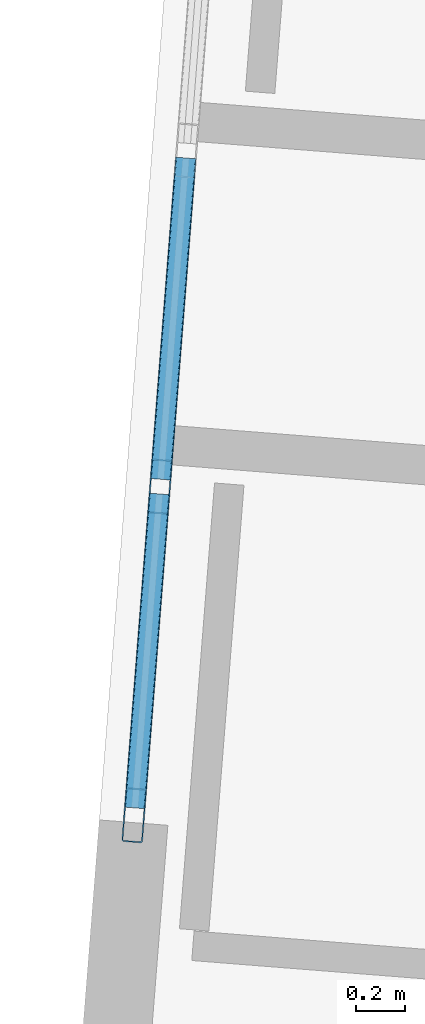
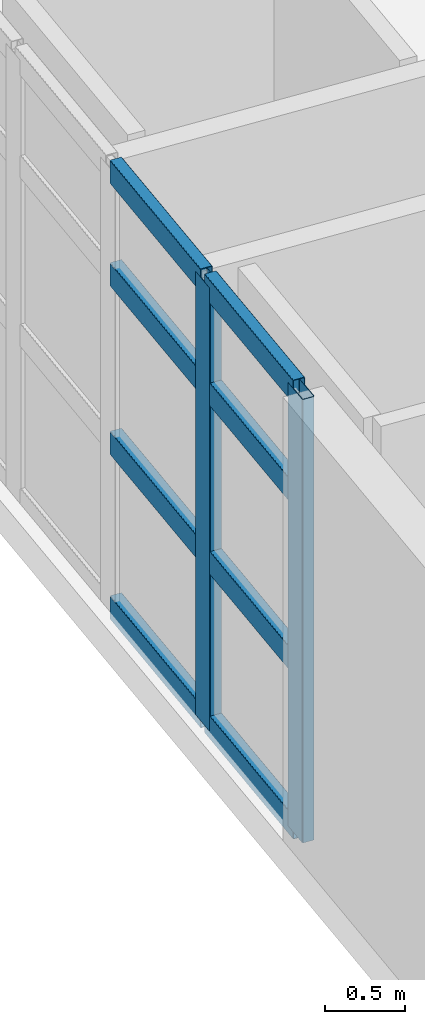
# One storey, part 4 of 23: 10 members, 1 element without a shape of its own.
"""IFC4 building model written with IfcOpenShell, lengths in metres."""

from ifc_helpers import new_model, si_unit, direction, frame, origin, origin_2d, place, context, subcontext, project, spatial, hollow_rectangle, extrude, material, layer, layer_set, material_profile, profile_set, type_object, element, aggregate, save


model = new_model("IFC4")

# Units and contexts
model_context = context("Model", 3, precision=1e-05, world=origin(), true_north=direction((0.0, 1.0)))
body_context = subcontext(model_context, "Body", "Model", "MODEL_VIEW")
ifc_project = project(units=[si_unit("LENGTHUNIT", "METRE"), si_unit("AREAUNIT", "SQUARE_METRE"), si_unit("VOLUMEUNIT", "CUBIC_METRE"), si_unit("PLANEANGLEUNIT", "RADIAN"), si_unit("MASSUNIT", "GRAM", prefix="KILO")], contexts=[model_context])

# Site, building, storey
site_placement = place(None, origin())
site = spatial("IfcSite", under=ifc_project, at=site_placement, CompositionType="ELEMENT")
building_placement = place(site_placement, origin())
building = spatial("IfcBuilding", under=site, at=building_placement, Name="Qingluan Cross Belvedere", CompositionType="ELEMENT")
storey_placement = place(building_placement, frame((0.0, 0.0, 245.39990234375)))
storey = spatial("IfcBuildingStorey", under=building, at=storey_placement, Name="L61", CompositionType="ELEMENT", Elevation=245.39990234375)

# Curtain wall, members
ifc_material_1 = material(Name="Thermally broken aluminium and Low-E glass", Category="aluminium")
ifc_layer = layer(ifc_material_1, 0.219970703125, Name="UnitisedCW_SkyLobbyHigh")
ifc_layer_set = layer_set([ifc_layer], Name="Thermally broken aluminium and Low-E glass")
curtain_wall_type = type_object("IfcCurtainWallType", Name="UnitisedCW_SkyLobbyHigh", PredefinedType="USERDEFINED", material=ifc_layer_set)
curtain_wall_placement = place(storey_placement, origin())
curtain_wall = element("IfcCurtainWall", 1, at=curtain_wall_placement, inside=storey, type_object=curtain_wall_type, Name="UnitisedCW_SkyLobbyHigh run env:cw:L61:W", ObjectType="UNITISED CURTAIN WALL", PredefinedType="USERDEFINED")
ifc_material_2 = material(Name="Aluminium alloy 6063-T6", Category="aluminium")
ifc_material_profile_1 = material_profile(ifc_material_2, hollow_rectangle(XDim=0.0849609375, YDim=0.219970703125, WallThickness=0.0048828125, InnerFilletRadius=0.0048828125, OuterFilletRadius=0.010009765625, at=origin_2d()), Name="CWM220x85x5")
ifc_profile_set_1 = profile_set([ifc_material_profile_1], Name="Aluminium alloy 6063-T6")
member_type_1 = type_object("IfcMemberType", Name="CWMullion_220", PredefinedType="MULLION", material=ifc_profile_set_1)
member_1_placement = place(storey_placement, frame((-29.7958984375, 0.96875, 0.0), z_axis=(0.0, 0.0, 1.0), x_axis=(0.996917118636, -0.078461828752, 0.0)))
member_1 = element("IfcMember", 2, at=member_1_placement, type_object=member_type_1, Name="CW-S2 mullion 4", PredefinedType="MULLION", context=body_context, shape_type="SweptSolid", body=[
    extrude(hollow_rectangle(XDim=0.0849609375, YDim=0.219970703125, WallThickness=0.0048828125, InnerFilletRadius=0.0048828125, OuterFilletRadius=0.010009765625, at=origin_2d()), origin(), (0.0, 0.0, 1.0), 3.380126953125),
])
member_2_placement = place(storey_placement, frame((-29.901123046875, -0.369140625, 0.0), z_axis=(0.0, 0.0, 1.0), x_axis=(0.996917118636, -0.078461828752, 0.0)))
member_2 = element("IfcMember", 3, at=member_2_placement, type_object=member_type_1, Name="CW-S2 mullion 5", PredefinedType="MULLION", context=body_context, shape_type="SweptSolid", body=[
    extrude(hollow_rectangle(XDim=0.0849609375, YDim=0.219970703125, WallThickness=0.0048828125, InnerFilletRadius=0.0048828125, OuterFilletRadius=0.010009765625, at=origin_2d()), origin(), (0.0, 0.0, 1.0), 3.380126953125),
])
ifc_material_3 = material(Name="Aluminium alloy 6063-T6", Category="aluminium")
ifc_material_profile_2 = material_profile(ifc_material_3, hollow_rectangle(XDim=0.0849609375, YDim=0.179931640625, WallThickness=0.00390625, InnerFilletRadius=0.00390625, OuterFilletRadius=0.008056640625, at=origin_2d()), Name="CWT180x85x4")
ifc_profile_set_2 = profile_set([ifc_material_profile_2], Name="Aluminium alloy 6063-T6")
member_type_2 = type_object("IfcMemberType", Name="CWTransom_180", PredefinedType="USERDEFINED", material=ifc_profile_set_2)
member_3_placement = place(storey_placement, frame((-29.690673828125, 2.306640625, 0.030029296875), z_axis=(-0.078347191082, -0.9969261345, 0.0), x_axis=(0.9969261345, -0.078347191082, 0.0)))
member_3 = element("IfcMember", 4, at=member_3_placement, type_object=member_type_2, Name="CW-S2 transom 3.1", ObjectType="TRANSOM", PredefinedType="USERDEFINED", context=body_context, shape_type="SweptSolid", body=[
    extrude(hollow_rectangle(XDim=0.0849609375, YDim=0.179931640625, WallThickness=0.00390625, InnerFilletRadius=0.00390625, OuterFilletRadius=0.008056640625, at=origin_2d()), origin(), (0.0, 0.0, 1.0), 1.31201171875),
])
member_4_placement = place(storey_placement, frame((-29.690673828125, 2.306640625, 1.2841796875), z_axis=(-0.078347191082, -0.9969261345, 0.0), x_axis=(0.9969261345, -0.078347191082, 0.0)))
member_4 = element("IfcMember", 5, at=member_4_placement, type_object=member_type_2, Name="CW-S2 transom 3.2", ObjectType="TRANSOM", PredefinedType="USERDEFINED", context=body_context, shape_type="SweptSolid", body=[
    extrude(hollow_rectangle(XDim=0.0849609375, YDim=0.179931640625, WallThickness=0.00390625, InnerFilletRadius=0.00390625, OuterFilletRadius=0.008056640625, at=origin_2d()), origin(), (0.0, 0.0, 1.0), 1.31201171875),
])
member_5_placement = place(storey_placement, frame((-29.690673828125, 2.306640625, 2.569091796875), z_axis=(-0.078347191082, -0.9969261345, 0.0), x_axis=(0.9969261345, -0.078347191082, 0.0)))
member_5 = element("IfcMember", 6, at=member_5_placement, type_object=member_type_2, Name="CW-S2 transom 3.3", ObjectType="TRANSOM", PredefinedType="USERDEFINED", context=body_context, shape_type="SweptSolid", body=[
    extrude(hollow_rectangle(XDim=0.0849609375, YDim=0.179931640625, WallThickness=0.00390625, InnerFilletRadius=0.00390625, OuterFilletRadius=0.008056640625, at=origin_2d()), origin(), (0.0, 0.0, 1.0), 1.31201171875),
])
member_6_placement = place(storey_placement, frame((-29.690673828125, 2.306640625, 3.35009765625), z_axis=(-0.078347191082, -0.9969261345, 0.0), x_axis=(0.9969261345, -0.078347191082, 0.0)))
member_6 = element("IfcMember", 7, at=member_6_placement, type_object=member_type_2, Name="CW-S2 transom 3.4", ObjectType="TRANSOM", PredefinedType="USERDEFINED", context=body_context, shape_type="SweptSolid", body=[
    extrude(hollow_rectangle(XDim=0.0849609375, YDim=0.179931640625, WallThickness=0.00390625, InnerFilletRadius=0.00390625, OuterFilletRadius=0.008056640625, at=origin_2d()), origin(), (0.0, 0.0, 1.0), 1.31201171875),
])
member_7_placement = place(storey_placement, frame((-29.798095703125, 0.93896484375, 0.030029296875), z_axis=(-0.078458445574, -0.996917384901, 0.0), x_axis=(0.996917384901, -0.078458445574, 0.0)))
member_7 = element("IfcMember", 8, at=member_7_placement, type_object=member_type_2, Name="CW-S2 transom 4.1", ObjectType="TRANSOM", PredefinedType="USERDEFINED", context=body_context, shape_type="SweptSolid", body=[
    extrude(hollow_rectangle(XDim=0.0849609375, YDim=0.179931640625, WallThickness=0.00390625, InnerFilletRadius=0.00390625, OuterFilletRadius=0.008056640625, at=origin_2d()), origin(), (0.0, 0.0, 1.0), 1.281982421875),
])
member_8_placement = place(storey_placement, frame((-29.798095703125, 0.93896484375, 1.2841796875), z_axis=(-0.078458445574, -0.996917384901, 0.0), x_axis=(0.996917384901, -0.078458445574, 0.0)))
member_8 = element("IfcMember", 9, at=member_8_placement, type_object=member_type_2, Name="CW-S2 transom 4.2", ObjectType="TRANSOM", PredefinedType="USERDEFINED", context=body_context, shape_type="SweptSolid", body=[
    extrude(hollow_rectangle(XDim=0.0849609375, YDim=0.179931640625, WallThickness=0.00390625, InnerFilletRadius=0.00390625, OuterFilletRadius=0.008056640625, at=origin_2d()), origin(), (0.0, 0.0, 1.0), 1.281982421875),
])
member_9_placement = place(storey_placement, frame((-29.798095703125, 0.93896484375, 2.569091796875), z_axis=(-0.078458445574, -0.996917384901, 0.0), x_axis=(0.996917384901, -0.078458445574, 0.0)))
member_9 = element("IfcMember", 10, at=member_9_placement, type_object=member_type_2, Name="CW-S2 transom 4.3", ObjectType="TRANSOM", PredefinedType="USERDEFINED", context=body_context, shape_type="SweptSolid", body=[
    extrude(hollow_rectangle(XDim=0.0849609375, YDim=0.179931640625, WallThickness=0.00390625, InnerFilletRadius=0.00390625, OuterFilletRadius=0.008056640625, at=origin_2d()), origin(), (0.0, 0.0, 1.0), 1.281982421875),
])
member_10_placement = place(storey_placement, frame((-29.798095703125, 0.93896484375, 3.35009765625), z_axis=(-0.078458445574, -0.996917384901, 0.0), x_axis=(0.996917384901, -0.078458445574, 0.0)))
member_10 = element("IfcMember", 11, at=member_10_placement, type_object=member_type_2, Name="CW-S2 transom 4.4", ObjectType="TRANSOM", PredefinedType="USERDEFINED", context=body_context, shape_type="SweptSolid", body=[
    extrude(hollow_rectangle(XDim=0.0849609375, YDim=0.179931640625, WallThickness=0.00390625, InnerFilletRadius=0.00390625, OuterFilletRadius=0.008056640625, at=origin_2d()), origin(), (0.0, 0.0, 1.0), 1.281982421875),
])
aggregate(curtain_wall, [member_1, member_2, member_3, member_4, member_5, member_6, member_7, member_8, member_9, member_10])

save(model, "model.ifc")
